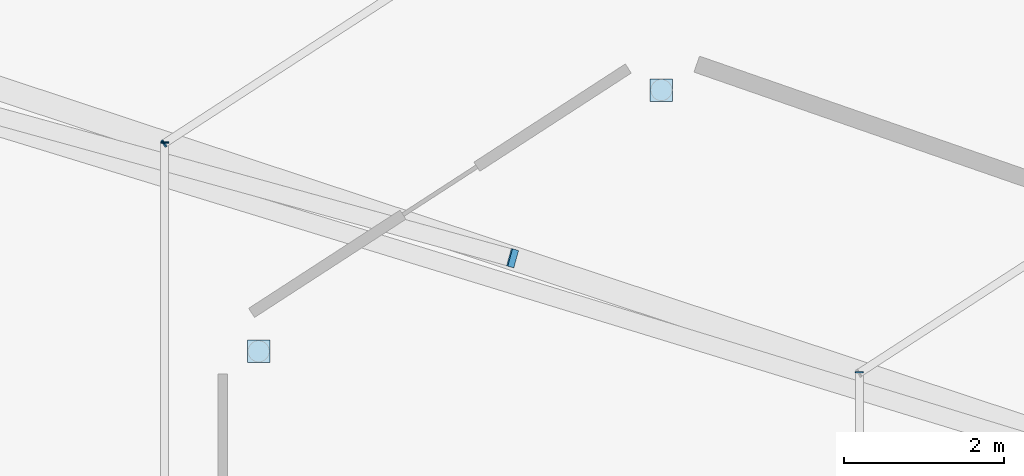
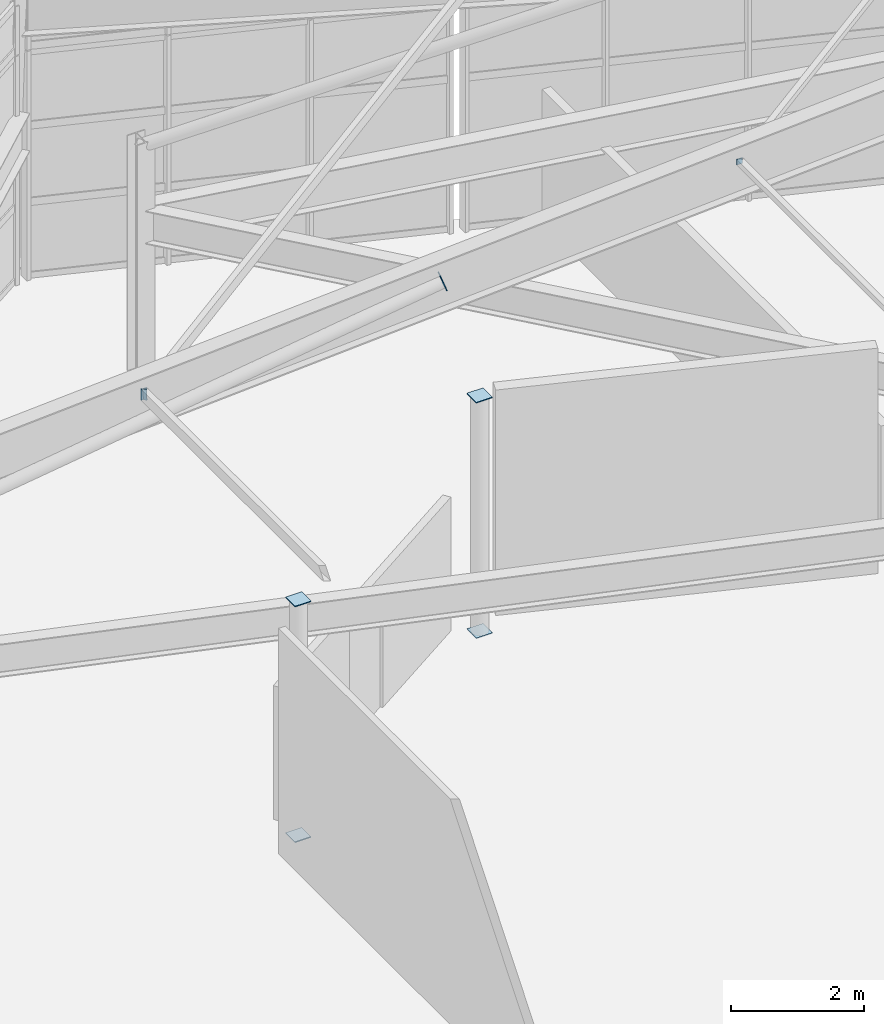
# One storey, part 36 of 50: 8 plates.
"""IFC4 building model written with IfcOpenShell, lengths in metres."""

from ifc_helpers import new_model, si_unit, direction, frame, origin, origin_2d, place, context, subcontext, project, spatial, rectangle, extrude, material, layer, layer_set, type_object, element, save


model = new_model("IFC4")

# Units and contexts
model_context = context("Model", 3, precision=1e-05, world=origin(), true_north=direction((0.0, 1.0)))
body_context = subcontext(model_context, "Body", "Model", "MODEL_VIEW")
ifc_project = project(units=[si_unit("LENGTHUNIT", "METRE"), si_unit("AREAUNIT", "SQUARE_METRE"), si_unit("VOLUMEUNIT", "CUBIC_METRE"), si_unit("PLANEANGLEUNIT", "RADIAN"), si_unit("MASSUNIT", "GRAM", prefix="KILO")], contexts=[model_context])

# Site, building, storey
site_placement = place(None, origin())
site = spatial("IfcSite", under=ifc_project, at=site_placement, CompositionType="ELEMENT")
building_placement = place(site_placement, origin())
building = spatial("IfcBuilding", under=site, at=building_placement, Name="Sarnbrook Museum", CompositionType="ELEMENT")
storey_placement = place(building_placement, frame((0.0, 0.0, 28.10009765625)))
storey = spatial("IfcBuildingStorey", under=building, at=storey_placement, Name="L05", CompositionType="ELEMENT", Elevation=28.10009765625)

# Plates
ifc_material = material(Name="Structural Steel Grade 350L0 (AS/NZS 3678, fy = 340 MPa for 20 < t <= 40 mm)", Category="steel")
ifc_layer_1 = layer(ifc_material, 0.01611328125)
ifc_layer_set_1 = layer_set([ifc_layer_1], Name="Structural Steel Grade 350L0 (AS/NZS 3678, fy = 340 MPa for 20 < t <= 40 mm)")
plate_type_1 = type_object("IfcPlateType", Name="EndCapPlate_CAP100", PredefinedType="USERDEFINED", material=ifc_layer_set_1)
plate_1_placement = place(storey_placement, frame((140.29248046875, 96.5595703125, 9.871826171875), z_axis=(0.0, -1.0, 0.0), x_axis=(1.0, 0.0, 0.0)))
element("IfcPlate", 1, at=plate_1_placement, inside=storey, type_object=plate_type_1, Name="Hollow End Cap Plate CRPR:7:2-1", ObjectType="END CAP PLATE", PredefinedType="USERDEFINED", context=body_context, shape_type="SweptSolid", body=[
    extrude(rectangle(XDim=0.10009765625, YDim=0.10009765625, at=origin_2d()), origin(), (0.0, 0.0, 1.0), 0.01611328125),
])
ifc_layer_2 = layer(ifc_material, 0.01611328125)
ifc_layer_set_2 = layer_set([ifc_layer_2], Name="Structural Steel Grade 350L0 (AS/NZS 3678, fy = 340 MPa for 20 < t <= 40 mm)")
plate_type_2 = type_object("IfcPlateType", Name="EndCapPlate_CAP200x100", PredefinedType="USERDEFINED", material=ifc_layer_set_2)
for number, where, z_axis, x_axis, name in (
    (2, (131.626708984375, 99.407958984375, 6.90771484375), (-0.836561260786, -0.542767082843, -0.074626742754), (0.544284800943, -0.838900503911, 0.0), "Hollow End Cap Plate CRPR:6:1-2"),
    (3, (131.62646484375, 99.424072265625, 6.907958984375), (0.0, -1.0, 0.0), (1.0, 0.0, 0.0), "Hollow End Cap Plate CRPR:7:1-1"),
):
    element("IfcPlate", number, at=place(storey_placement, frame(where, z_axis=z_axis, x_axis=x_axis)), inside=storey, type_object=plate_type_2, Name=name, ObjectType="END CAP PLATE", PredefinedType="USERDEFINED", context=body_context, shape_type="SweptSolid", body=[
        extrude(rectangle(XDim=0.10009765625, YDim=0.199951171875, at=origin_2d()), origin(), (0.0, 0.0, 1.0), 0.01611328125),
    ])
ifc_layer_3 = layer(ifc_material, 0.01611328125)
ifc_layer_set_3 = layer_set([ifc_layer_3], Name="Structural Steel Grade 350L0 (AS/NZS 3678, fy = 340 MPa for 20 < t <= 40 mm)")
plate_type_3 = type_object("IfcPlateType", Name="EndCapPlate_CAP219", PredefinedType="USERDEFINED", material=ifc_layer_set_3)
plate_2_placement = place(storey_placement, frame((135.95947265625, 97.9755859375, 8.31982421875), z_axis=(0.903087729009, -0.248855876486, 0.35000472347), x_axis=(0.265659380942, 0.96406695479, 0.0)))
element("IfcPlate", 4, at=plate_2_placement, inside=storey, type_object=plate_type_3, Name="Hollow End Cap Plate CRTR:WEB:7-2", ObjectType="END CAP PLATE", PredefinedType="USERDEFINED", context=body_context, shape_type="SweptSolid", body=[
    extrude(rectangle(XDim=0.22509765625, YDim=0.22509765625, at=origin_2d()), origin(), (0.0, 0.0, 1.0), 0.01611328125),
])
ifc_layer_4 = layer(ifc_material, 0.01611328125)
ifc_layer_set_4 = layer_set([ifc_layer_4], Name="Structural Steel Grade 350L0 (AS/NZS 3678, fy = 340 MPa for 20 < t <= 40 mm)")
plate_type_4 = type_object("IfcPlateType", Name="EndCapPlate_CAP273", PredefinedType="USERDEFINED", material=ifc_layer_set_4)
for number, where, z_axis, x_axis, name in (
    (5, (137.822509765625, 100.07080078125, -0.01611328125), (0.0, 0.0, 1.0), (1.0, 0.0, 0.0), "Hollow End Cap Plate COL:L05:V1R2-5-1"),
    (6, (137.822509765625, 100.07080078125, 4.2998046875), (0.0, 0.0, 1.0), (1.0, 0.0, 0.0), "Hollow End Cap Plate COL:L05:V1R2-5-2"),
    (7, (132.800048828125, 96.81201171875, -0.01611328125), (0.0, 0.0, 1.0), (1.0, 0.0, 0.0), "Hollow End Cap Plate COL:L05:V1R2-6-1"),
    (8, (132.800048828125, 96.81201171875, 4.2998046875), (0.0, 0.0, 1.0), (1.0, 0.0, 0.0), "Hollow End Cap Plate COL:L05:V1R2-6-2"),
):
    element("IfcPlate", number, at=place(storey_placement, frame(where, z_axis=z_axis, x_axis=x_axis)), inside=storey, type_object=plate_type_4, Name=name, ObjectType="END CAP PLATE", PredefinedType="USERDEFINED", context=body_context, shape_type="SweptSolid", body=[
        extrude(rectangle(XDim=0.280029296875, YDim=0.280029296875, at=origin_2d()), origin(), (0.0, 0.0, 1.0), 0.01611328125),
    ])

save(model, "model.ifc")
